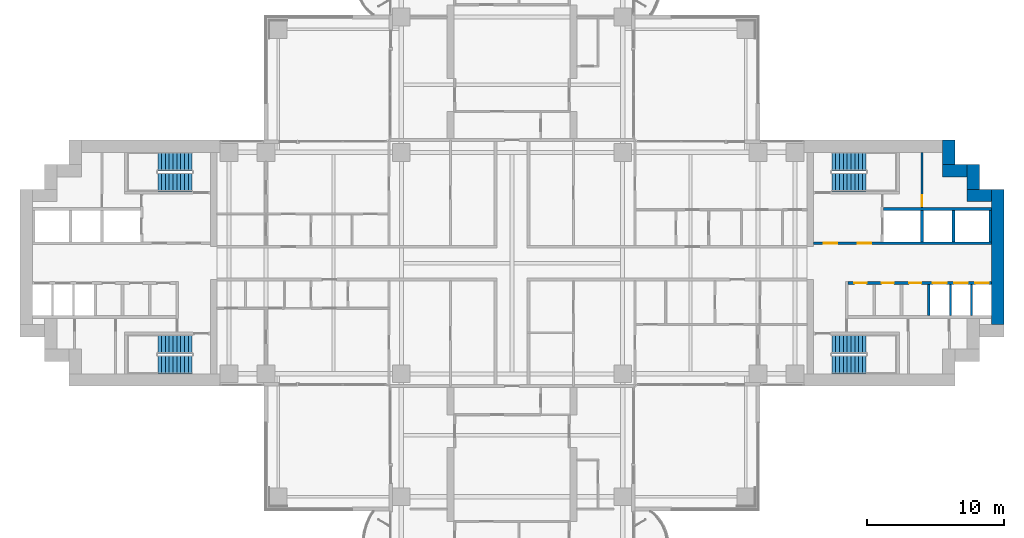
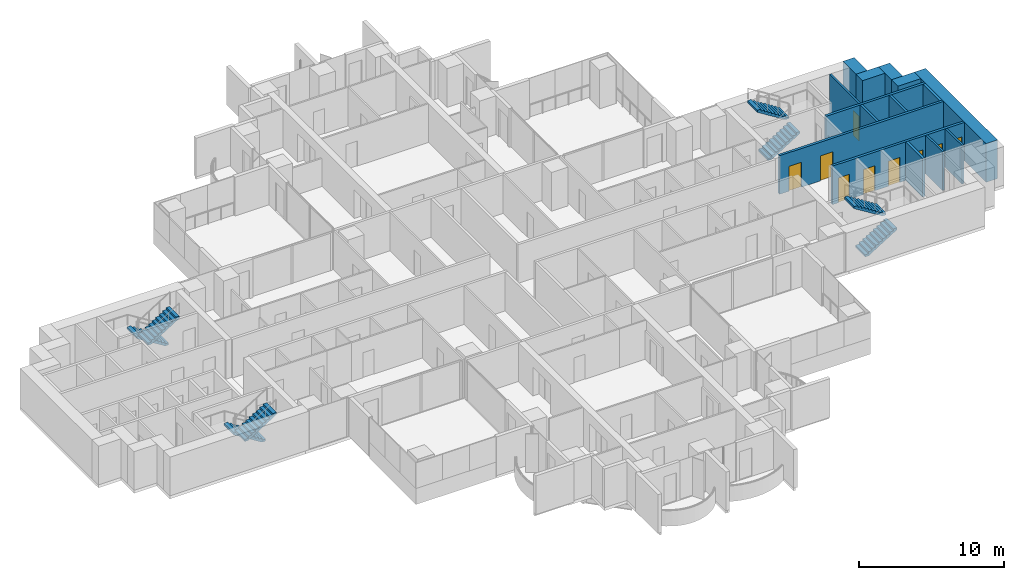
# One storey, part 16 of 20: 15 walls, 9 doors, 8 stair flights, 9 openings, 4 elements without a shape of their own.
"""IFC4 building model written with IfcOpenShell, lengths in metres."""

from ifc_helpers import new_model, si_unit, direction, frame, frame_2d, origin, place, context, subcontext, project, spatial, polyline, rectangle, outline, extrude, material, layer, layer_set, type_object, element, fill, aggregate, save


model = new_model("IFC4")

# Units and contexts
model_context = context("Model", 3, precision=1e-05, world=origin(), true_north=direction((0.0, 1.0)))
body_context = subcontext(model_context, "Body", "Model", "MODEL_VIEW")
ifc_project = project(units=[si_unit("LENGTHUNIT", "METRE"), si_unit("AREAUNIT", "SQUARE_METRE"), si_unit("VOLUMEUNIT", "CUBIC_METRE"), si_unit("PLANEANGLEUNIT", "RADIAN"), si_unit("MASSUNIT", "GRAM", prefix="KILO")], contexts=[model_context])

# Site, building, storey
site_placement = place(None, origin())
site = spatial("IfcSite", under=ifc_project, at=site_placement, CompositionType="ELEMENT")
building_placement = place(site_placement, origin())
building = spatial("IfcBuilding", under=site, at=building_placement, Name="Perihelion Cross Residences", CompositionType="ELEMENT")
storey_placement = place(building_placement, frame((0.0, 0.0, 82.0)))
storey = spatial("IfcBuildingStorey", under=building, at=storey_placement, Name="L18", CompositionType="ELEMENT", Elevation=82.0)

# Walls
ifc_material_1 = material(Name="Concrete C60/75", Category="concrete")
ifc_layer_1 = layer(ifc_material_1, 0.89990234375)
ifc_layer_set_1 = layer_set([ifc_layer_1], Name="Core wall, outer 900")
wall_type_1 = type_object("IfcWallType", Name="Core wall, outer 900", PredefinedType="SHEAR", material=ifc_layer_set_1)
wall_1_placement = place(storey_placement, frame((35.550048828125, -4.5, 0.0), z_axis=(0.0, 0.0, 1.0), x_axis=(0.0, 1.0, 0.0)))
element("IfcWall", 1, at=wall_1_placement, inside=storey, type_object=wall_type_1, Name="East core core wall, outer", PredefinedType="SHEAR", context=body_context, shape_type="SweptSolid", body=[
    extrude(rectangle(XDim=9.89990234375, YDim=0.89990234375, at=frame_2d((4.949951171875, 0.0))), origin(), (0.0, 0.0, 1.0), 3.25),
])
for number, where, z_axis, x_axis, name in (
    (2, (33.300048828125, 4.949951171875, 0.0), (0.0, 0.0, 1.0), (1.0, 0.0, 0.0), "East core core wall, outer"),
    (3, (33.75, 5.39990234375, 0.0), (0.0, 0.0, 1.0), (0.0, 1.0, 0.0), "East core core wall, outer"),
    (4, (31.5, 6.75, 0.0), (0.0, 0.0, 1.0), (1.0, 0.0, 0.0), "East core core wall, outer"),
    (5, (31.949951171875, 7.199951171875, 0.0), (0.0, 0.0, 1.0), (0.0, 1.0, 0.0), "East core core wall, outer"),
):
    element("IfcWall", number, at=place(storey_placement, frame(where, z_axis=z_axis, x_axis=x_axis)), inside=storey, type_object=wall_type_1, Name=name, PredefinedType="SHEAR", context=body_context, shape_type="SweptSolid", body=[
        extrude(rectangle(XDim=1.800048828125, YDim=0.89990234375, at=frame_2d((0.89990234375, 0.0))), origin(), (0.0, 0.0, 1.0), 3.25),
    ])

# Wall, opening, door
ifc_material_2 = material(Name="Fire-rated board on steel stud", Category="steel")
ifc_layer_2 = layer(ifc_material_2, 0.14990234375)
ifc_layer_set_2 = layer_set([ifc_layer_2], Name="Riser wall 150")
wall_type_2 = type_object("IfcWallType", Name="Riser wall 150", PredefinedType="PARTITIONING", material=ifc_layer_set_2)
wall_2_placement = place(storey_placement, frame((30.0, 4.050048828125, 0.0), z_axis=(0.0, 0.0, 1.0), x_axis=(0.0, 1.0, 0.0)))
wall_2 = element("IfcWall", 6, at=wall_2_placement, inside=storey, type_object=wall_type_2, Name="East core riser wall", PredefinedType="PARTITIONING", context=body_context, shape_type="SweptSolid", body=[
    extrude(rectangle(XDim=4.050048828125, YDim=0.14990234375, at=frame_2d((2.02490234375, 0.0))), origin(), (0.0, 0.0, 1.0), 3.25),
])
opening_1_placement = place(wall_2_placement, frame((0.10009765625, 0.0, 0.0)))
opening_1 = element("IfcOpeningElement", 7, at=opening_1_placement, cuts=wall_2, Name="Opening L18.C15", PredefinedType="OPENING", context=body_context, shape_type="SweptSolid", body=[
    extrude(rectangle(XDim=0.800048828125, YDim=2.10009765625, at=frame_2d((0.39990234375, 1.050048828125))), frame((0.0, 0.0849609375, 0.0), z_axis=(0.0, -1.0, 0.0), x_axis=(1.0, 0.0, 0.0)), (0.0, 0.0, 1.0), 0.169921875),
])
ifc_material_3 = material(Name="Steel, powder coated", Category="steel")
door_type_1 = type_object("IfcDoorType", Name="Riser door 800", OperationType="SINGLE_SWING_LEFT", PredefinedType="DOOR", material=ifc_material_3)
door_1_placement = place(opening_1_placement, origin())
door_1 = element("IfcDoor", 8, at=door_1_placement, inside=storey, type_object=door_type_1, Name="East core riser door", OperationType="SINGLE_SWING_LEFT", OverallHeight=2.10009765625, OverallWidth=0.800048828125, PredefinedType="DOOR", context=body_context, shape_type="SweptSolid", body=[
    extrude(rectangle(XDim=0.800048828125, YDim=2.10009765625, at=frame_2d((0.39990234375, 1.050048828125))), frame((0.0, 0.02490234375, 0.0), z_axis=(0.0, -1.0, 0.0), x_axis=(1.0, 0.0, 0.0)), (0.0, 0.0, 1.0), 0.050048828125),
])
fill(opening_1, door_1)

# Walls
ifc_material_4 = material(Name="Concrete C50/60", Category="concrete")
ifc_layer_3 = layer(ifc_material_4, 0.14990234375)
ifc_layer_set_3 = layer_set([ifc_layer_3], Name="Shaft wall 150")
wall_type_3 = type_object("IfcWallType", Name="Shaft wall 150", PredefinedType="SOLIDWALL", material=ifc_layer_set_3)
for number, where, z_axis, x_axis, name in (
    (9, (32.074951171875, -3.85009765625, 0.0), (0.0, 0.0, 1.0), (0.0, 1.0, 0.0), "East core shaft wall"),
    (10, (33.625, -3.85009765625, 0.0), (0.0, 0.0, 1.0), (0.0, 1.0, 0.0), "East core shaft wall"),
):
    element("IfcWall", number, at=place(storey_placement, frame(where, z_axis=z_axis, x_axis=x_axis)), inside=storey, type_object=wall_type_3, Name=name, PredefinedType="SOLIDWALL", context=body_context, shape_type="SweptSolid", body=[
        extrude(rectangle(XDim=2.300048828125, YDim=0.14990234375, at=frame_2d((1.14990234375, 0.0))), origin(), (0.0, 0.0, 1.0), 3.25),
    ])

# Wall, openings, doors
ifc_material_5 = material(Name="Concrete C50/60", Category="concrete")
ifc_layer_4 = layer(ifc_material_5, 0.199951171875)
ifc_layer_set_4 = layer_set([ifc_layer_4], Name="Shaft wall 200")
wall_type_4 = type_object("IfcWallType", Name="Shaft wall 200", PredefinedType="SOLIDWALL", material=ifc_layer_set_4)
wall_3_placement = place(storey_placement, frame((22.050048828125, 1.449951171875, 0.0), z_axis=(0.0, 0.0, 1.0), x_axis=(1.0, 0.0, 0.0)))
wall_3 = element("IfcWall", 11, at=wall_3_placement, inside=storey, type_object=wall_type_4, Name="East core shaft wall", PredefinedType="SOLIDWALL", context=body_context, shape_type="SweptSolid", body=[
    extrude(rectangle(XDim=13.050048828125, YDim=0.199951171875, at=frame_2d((6.52490234375, 0.0))), origin(), (0.0, 0.0, 1.0), 3.25),
])
opening_2_placement = place(wall_3_placement, frame((0.75, 0.0, 0.0)))
opening_2 = element("IfcOpeningElement", 12, at=opening_2_placement, cuts=wall_3, Name="Opening L18.C07", PredefinedType="OPENING", context=body_context, shape_type="SweptSolid", body=[
    extrude(rectangle(XDim=1.0, YDim=2.10009765625, at=frame_2d((0.5, 1.050048828125))), frame((0.0, 0.10986328125, 0.0), z_axis=(0.0, -1.0, 0.0), x_axis=(1.0, 0.0, 0.0)), (0.0, 0.0, 1.0), 0.219970703125),
])
opening_3_placement = place(wall_3_placement, frame((3.25, 0.0, 0.0)))
opening_3 = element("IfcOpeningElement", 13, at=opening_3_placement, cuts=wall_3, Name="Opening L18.C10", PredefinedType="OPENING", context=body_context, shape_type="SweptSolid", body=[
    extrude(rectangle(XDim=1.0, YDim=2.10009765625, at=frame_2d((0.5, 1.050048828125))), frame((0.0, 0.10986328125, 0.0), z_axis=(0.0, -1.0, 0.0), x_axis=(1.0, 0.0, 0.0)), (0.0, 0.0, 1.0), 0.219970703125),
])
ifc_material_6 = material(Name="Steel, powder coated", Category="steel")
door_type_2 = type_object("IfcDoorType", Name="Lobby door 1000", OperationType="SINGLE_SWING_LEFT", PredefinedType="DOOR", material=ifc_material_6)
door_2_placement = place(opening_2_placement, origin())
door_2 = element("IfcDoor", 14, at=door_2_placement, inside=storey, type_object=door_type_2, Name="East core firefighting lobby door", OperationType="SINGLE_SWING_LEFT", OverallHeight=2.10009765625, OverallWidth=1.0, PredefinedType="DOOR", context=body_context, shape_type="SweptSolid", body=[
    extrude(rectangle(XDim=1.0, YDim=2.10009765625, at=frame_2d((0.5, 1.050048828125))), frame((0.0, 0.02490234375, 0.0), z_axis=(0.0, -1.0, 0.0), x_axis=(1.0, 0.0, 0.0)), (0.0, 0.0, 1.0), 0.050048828125),
])
fill(opening_2, door_2)
door_3_placement = place(opening_3_placement, origin())
door_3 = element("IfcDoor", 15, at=door_3_placement, inside=storey, type_object=door_type_2, Name="East core firefighting lobby door", OperationType="SINGLE_SWING_LEFT", OverallHeight=2.10009765625, OverallWidth=1.0, PredefinedType="DOOR", context=body_context, shape_type="SweptSolid", body=[
    extrude(rectangle(XDim=1.0, YDim=2.10009765625, at=frame_2d((0.5, 1.050048828125))), frame((0.0, 0.02490234375, 0.0), z_axis=(0.0, -1.0, 0.0), x_axis=(1.0, 0.0, 0.0)), (0.0, 0.0, 1.0), 0.050048828125),
])
fill(opening_3, door_3)

wall_4_placement = place(storey_placement, frame((24.60009765625, -1.449951171875, 0.0), z_axis=(0.0, 0.0, 1.0), x_axis=(1.0, 0.0, 0.0)))
wall_4 = element("IfcWall", 16, at=wall_4_placement, inside=storey, type_object=wall_type_4, Name="East core shaft wall", PredefinedType="SOLIDWALL", context=body_context, shape_type="SweptSolid", body=[
    extrude(rectangle(XDim=10.5, YDim=0.199951171875, at=frame_2d((5.25, 0.0))), origin(), (0.0, 0.0, 1.0), 3.25),
])
opening_4_placement = place(wall_4_placement, frame((6.199951171875, 0.0, 0.0)))
opening_4 = element("IfcOpeningElement", 17, at=opening_4_placement, cuts=wall_4, Name="Opening L18.C02", PredefinedType="OPENING", context=body_context, shape_type="SweptSolid", body=[
    extrude(rectangle(XDim=1.0, YDim=2.10009765625, at=frame_2d((0.5, 1.050048828125))), frame((0.0, 0.10986328125, 0.0), z_axis=(0.0, -1.0, 0.0), x_axis=(1.0, 0.0, 0.0)), (0.0, 0.0, 1.0), 0.219970703125),
])
opening_5_placement = place(wall_4_placement, frame((7.75, 0.0, 0.0)))
opening_5 = element("IfcOpeningElement", 18, at=opening_5_placement, cuts=wall_4, Name="Opening L18.C03", PredefinedType="OPENING", context=body_context, shape_type="SweptSolid", body=[
    extrude(rectangle(XDim=1.0, YDim=2.10009765625, at=frame_2d((0.5, 1.050048828125))), frame((0.0, 0.10986328125, 0.0), z_axis=(0.0, -1.0, 0.0), x_axis=(1.0, 0.0, 0.0)), (0.0, 0.0, 1.0), 0.219970703125),
])
opening_6_placement = place(wall_4_placement, frame((9.300048828125, 0.0, 0.0)))
opening_6 = element("IfcOpeningElement", 19, at=opening_6_placement, cuts=wall_4, Name="Opening L18.C04", PredefinedType="OPENING", context=body_context, shape_type="SweptSolid", body=[
    extrude(rectangle(XDim=1.0, YDim=2.10009765625, at=frame_2d((0.5, 1.050048828125))), frame((0.0, 0.10986328125, 0.0), z_axis=(0.0, -1.0, 0.0), x_axis=(1.0, 0.0, 0.0)), (0.0, 0.0, 1.0), 0.219970703125),
])
opening_7_placement = place(wall_4_placement, frame((0.449951171875, 0.0, 0.0)))
opening_7 = element("IfcOpeningElement", 20, at=opening_7_placement, cuts=wall_4, Name="Opening L18.C09", PredefinedType="OPENING", context=body_context, shape_type="SweptSolid", body=[
    extrude(rectangle(XDim=0.89990234375, YDim=2.10009765625, at=frame_2d((0.449951171875, 1.050048828125))), frame((0.0, 0.10986328125, 0.0), z_axis=(0.0, -1.0, 0.0), x_axis=(1.0, 0.0, 0.0)), (0.0, 0.0, 1.0), 0.219970703125),
])
opening_8_placement = place(wall_4_placement, frame((2.449951171875, 0.0, 0.0)))
opening_8 = element("IfcOpeningElement", 21, at=opening_8_placement, cuts=wall_4, Name="Opening L18.C12", PredefinedType="OPENING", context=body_context, shape_type="SweptSolid", body=[
    extrude(rectangle(XDim=0.89990234375, YDim=2.10009765625, at=frame_2d((0.449951171875, 1.050048828125))), frame((0.0, 0.10986328125, 0.0), z_axis=(0.0, -1.0, 0.0), x_axis=(1.0, 0.0, 0.0)), (0.0, 0.0, 1.0), 0.219970703125),
])
opening_9_placement = place(wall_4_placement, frame((4.449951171875, 0.0, 0.0)))
opening_9 = element("IfcOpeningElement", 22, at=opening_9_placement, cuts=wall_4, Name="Opening L18.C14", PredefinedType="OPENING", context=body_context, shape_type="SweptSolid", body=[
    extrude(rectangle(XDim=0.89990234375, YDim=2.10009765625, at=frame_2d((0.449951171875, 1.050048828125))), frame((0.0, 0.10986328125, 0.0), z_axis=(0.0, -1.0, 0.0), x_axis=(1.0, 0.0, 0.0)), (0.0, 0.0, 1.0), 0.219970703125),
])
ifc_material_7 = material(Name="Stainless steel", Category="steel")
door_type_3 = type_object("IfcDoorType", Name="Landing door 1000", OperationType="DOUBLE_DOOR_SLIDING", PredefinedType="DOOR", material=ifc_material_7)
door_4_placement = place(opening_4_placement, origin())
door_4 = element("IfcDoor", 23, at=door_4_placement, inside=storey, type_object=door_type_3, Name="Landing door, East core low-rise lift 1", OperationType="DOUBLE_DOOR_SLIDING", OverallHeight=2.10009765625, OverallWidth=1.0, PredefinedType="DOOR", context=body_context, shape_type="SweptSolid", body=[
    extrude(rectangle(XDim=1.0, YDim=2.10009765625, at=frame_2d((0.5, 1.050048828125))), frame((0.0, 0.02490234375, 0.0), z_axis=(0.0, -1.0, 0.0), x_axis=(1.0, 0.0, 0.0)), (0.0, 0.0, 1.0), 0.050048828125),
])
fill(opening_4, door_4)
door_5_placement = place(opening_5_placement, origin())
door_5 = element("IfcDoor", 24, at=door_5_placement, inside=storey, type_object=door_type_3, Name="Landing door, East core low-rise lift 2", OperationType="DOUBLE_DOOR_SLIDING", OverallHeight=2.10009765625, OverallWidth=1.0, PredefinedType="DOOR", context=body_context, shape_type="SweptSolid", body=[
    extrude(rectangle(XDim=1.0, YDim=2.10009765625, at=frame_2d((0.5, 1.050048828125))), frame((0.0, 0.02490234375, 0.0), z_axis=(0.0, -1.0, 0.0), x_axis=(1.0, 0.0, 0.0)), (0.0, 0.0, 1.0), 0.050048828125),
])
fill(opening_5, door_5)
door_6_placement = place(opening_6_placement, origin())
door_6 = element("IfcDoor", 25, at=door_6_placement, inside=storey, type_object=door_type_3, Name="Landing door, East core low-rise lift 3", OperationType="DOUBLE_DOOR_SLIDING", OverallHeight=2.10009765625, OverallWidth=1.0, PredefinedType="DOOR", context=body_context, shape_type="SweptSolid", body=[
    extrude(rectangle(XDim=1.0, YDim=2.10009765625, at=frame_2d((0.5, 1.050048828125))), frame((0.0, 0.02490234375, 0.0), z_axis=(0.0, -1.0, 0.0), x_axis=(1.0, 0.0, 0.0)), (0.0, 0.0, 1.0), 0.050048828125),
])
fill(opening_6, door_6)
ifc_material_8 = material(Name="Steel, powder coated", Category="steel")
door_type_4 = type_object("IfcDoorType", Name="Service room door 900", OperationType="SINGLE_SWING_LEFT", PredefinedType="DOOR", material=ifc_material_8)
door_7_placement = place(opening_7_placement, origin())
door_7 = element("IfcDoor", 26, at=door_7_placement, inside=storey, type_object=door_type_4, Name="East core service room door", OperationType="SINGLE_SWING_LEFT", OverallHeight=2.10009765625, OverallWidth=0.89990234375, PredefinedType="DOOR", context=body_context, shape_type="SweptSolid", body=[
    extrude(rectangle(XDim=0.89990234375, YDim=2.10009765625, at=frame_2d((0.449951171875, 1.050048828125))), frame((0.0, 0.02490234375, 0.0), z_axis=(0.0, -1.0, 0.0), x_axis=(1.0, 0.0, 0.0)), (0.0, 0.0, 1.0), 0.050048828125),
])
fill(opening_7, door_7)
door_8_placement = place(opening_8_placement, origin())
door_8 = element("IfcDoor", 27, at=door_8_placement, inside=storey, type_object=door_type_4, Name="East core service room door", OperationType="SINGLE_SWING_LEFT", OverallHeight=2.10009765625, OverallWidth=0.89990234375, PredefinedType="DOOR", context=body_context, shape_type="SweptSolid", body=[
    extrude(rectangle(XDim=0.89990234375, YDim=2.10009765625, at=frame_2d((0.449951171875, 1.050048828125))), frame((0.0, 0.02490234375, 0.0), z_axis=(0.0, -1.0, 0.0), x_axis=(1.0, 0.0, 0.0)), (0.0, 0.0, 1.0), 0.050048828125),
])
fill(opening_8, door_8)
door_9_placement = place(opening_9_placement, origin())
door_9 = element("IfcDoor", 28, at=door_9_placement, inside=storey, type_object=door_type_4, Name="East core service room door", OperationType="SINGLE_SWING_LEFT", OverallHeight=2.10009765625, OverallWidth=0.89990234375, PredefinedType="DOOR", context=body_context, shape_type="SweptSolid", body=[
    extrude(rectangle(XDim=0.89990234375, YDim=2.10009765625, at=frame_2d((0.449951171875, 1.050048828125))), frame((0.0, 0.02490234375, 0.0), z_axis=(0.0, -1.0, 0.0), x_axis=(1.0, 0.0, 0.0)), (0.0, 0.0, 1.0), 0.050048828125),
])
fill(opening_9, door_9)

# Walls
wall_5_placement = place(storey_placement, frame((27.199951171875, 3.949951171875, 0.0), z_axis=(0.0, 0.0, 1.0), x_axis=(1.0, 0.0, 0.0)))
element("IfcWall", 29, at=wall_5_placement, inside=storey, type_object=wall_type_4, Name="East core shaft wall", PredefinedType="SOLIDWALL", context=body_context, shape_type="SweptSolid", body=[
    extrude(rectangle(XDim=7.900146484375, YDim=0.199951171875, at=frame_2d((3.9501953125, 0.0))), origin(), (0.0, 0.0, 1.0), 3.25),
])
for number, where, z_axis, x_axis, name in (
    (30, (30.0, 1.550048828125, 0.0), (0.0, 0.0, 1.0), (0.0, 1.0, 0.0), "East core shaft wall"),
    (31, (32.300048828125, 1.550048828125, 0.0), (0.0, 0.0, 1.0), (0.0, 1.0, 0.0), "East core shaft wall"),
    (32, (35.0, 1.550048828125, 0.0), (0.0, 0.0, 1.0), (0.0, 1.0, 0.0), "East core shaft wall"),
    (33, (30.5, -3.85009765625, 0.0), (0.0, 0.0, 1.0), (0.0, 1.0, 0.0), "East core shaft wall"),
):
    element("IfcWall", number, at=place(storey_placement, frame(where, z_axis=z_axis, x_axis=x_axis)), inside=storey, type_object=wall_type_4, Name=name, PredefinedType="SOLIDWALL", context=body_context, shape_type="SweptSolid", body=[
        extrude(rectangle(XDim=2.300048828125, YDim=0.199951171875, at=frame_2d((1.14990234375, 0.0))), origin(), (0.0, 0.0, 1.0), 3.25),
    ])

# Stair, stair flights
ifc_material_9 = material(Name="Concrete C40/50", Category="concrete")
stair_type = type_object("IfcStairType", Name="Exit stair, half-turn", PredefinedType="HALF_TURN_STAIR", material=ifc_material_9)
stair_1_placement = place(storey_placement, origin())
stair_1 = element("IfcStair", 34, at=stair_1_placement, inside=storey, type_object=stair_type, Name="L18 East core exit stair 1", PredefinedType="HALF_TURN_STAIR")
ifc_material_10 = material(Name="Concrete C40/50", Category="concrete")
stair_flight_type = type_object("IfcStairFlightType", Name="Exit stair flight", PredefinedType="STRAIGHT", material=ifc_material_10)
stair_flight_1_placement = place(storey_placement, frame((23.39990234375, 5.925048828125, 0.0), z_axis=(0.0, 0.0, 1.0), x_axis=(1.0, 0.0, 0.0)))
stair_flight_1 = element("IfcStairFlight", 35, at=stair_flight_1_placement, type_object=stair_flight_type, Name="ST-E1 flight 1", NumberOfRisers=10, NumberOfTreads=9, PredefinedType="STRAIGHT", RiserHeight=0.175, TreadLength=0.28, context=body_context, shape_type="SweptSolid", body=[
    extrude(outline(polyline([(0.0, 0.0), (0.0, 0.175048828125), (0.280029296875, 0.175048828125), (0.280029296875, 0.35009765625), (0.56005859375, 0.35009765625), (0.56005859375, 0.52490234375), (0.840087890625, 0.52490234375), (0.840087890625, 0.699951171875), (1.1201171875, 0.699951171875), (1.1201171875, 0.875), (1.39990234375, 0.875), (1.39990234375, 1.050048828125), (1.679931640625, 1.050048828125), (1.679931640625, 1.22509765625), (1.9599609375, 1.22509765625), (1.9599609375, 1.39990234375), (2.239990234375, 1.39990234375), (2.239990234375, 1.574951171875), (2.52001953125, 1.574951171875), (2.52001953125, 1.75), (2.52001953125, 1.398193359375), (0.28271484375, 0.0), (0.0, 0.0)])), frame((0.0, 0.675048828125, 0.0), z_axis=(0.0, -1.0, 0.0), x_axis=(1.0, 0.0, 0.0)), (0.0, 0.0, 1.0), 1.35009765625),
])
stair_flight_2_placement = place(storey_placement, frame((25.919921875, 7.425048828125, 1.75), z_axis=(0.0, 0.0, 1.0), x_axis=(-1.0, 0.0, 0.0)))
stair_flight_2 = element("IfcStairFlight", 36, at=stair_flight_2_placement, type_object=stair_flight_type, Name="ST-E1 flight 2", NumberOfRisers=10, NumberOfTreads=9, PredefinedType="STRAIGHT", RiserHeight=0.175, TreadLength=0.28, context=body_context, shape_type="SweptSolid", body=[
    extrude(outline(polyline([(0.0, 0.0), (0.0, 0.175048828125), (0.280029296875, 0.175048828125), (0.280029296875, 0.35009765625), (0.56005859375, 0.35009765625), (0.56005859375, 0.52490234375), (0.840087890625, 0.52490234375), (0.840087890625, 0.699951171875), (1.1201171875, 0.699951171875), (1.1201171875, 0.875), (1.39990234375, 0.875), (1.39990234375, 1.050048828125), (1.679931640625, 1.050048828125), (1.679931640625, 1.22509765625), (1.9599609375, 1.22509765625), (1.9599609375, 1.39990234375), (2.239990234375, 1.39990234375), (2.239990234375, 1.574951171875), (2.52001953125, 1.574951171875), (2.52001953125, 1.75), (2.52001953125, 1.398193359375), (0.28271484375, 0.0), (0.0, 0.0)])), frame((0.0, 0.675048828125, 0.0), z_axis=(0.0, -1.0, 0.0), x_axis=(1.0, 0.0, 0.0)), (0.0, 0.0, 1.0), 1.35009765625),
])
aggregate(stair_1, [stair_flight_1, stair_flight_2])

stair_2_placement = place(storey_placement, origin())
stair_2 = element("IfcStair", 37, at=stair_2_placement, inside=storey, type_object=stair_type, Name="L18 East core exit stair 2", PredefinedType="HALF_TURN_STAIR")
stair_flight_3_placement = place(storey_placement, frame((23.39990234375, -7.425048828125, 0.0), z_axis=(0.0, 0.0, 1.0), x_axis=(1.0, 0.0, 0.0)))
stair_flight_3 = element("IfcStairFlight", 38, at=stair_flight_3_placement, type_object=stair_flight_type, Name="ST-E2 flight 1", NumberOfRisers=10, NumberOfTreads=9, PredefinedType="STRAIGHT", RiserHeight=0.175, TreadLength=0.28, context=body_context, shape_type="SweptSolid", body=[
    extrude(outline(polyline([(0.0, 0.0), (0.0, 0.175048828125), (0.280029296875, 0.175048828125), (0.280029296875, 0.35009765625), (0.56005859375, 0.35009765625), (0.56005859375, 0.52490234375), (0.840087890625, 0.52490234375), (0.840087890625, 0.699951171875), (1.1201171875, 0.699951171875), (1.1201171875, 0.875), (1.39990234375, 0.875), (1.39990234375, 1.050048828125), (1.679931640625, 1.050048828125), (1.679931640625, 1.22509765625), (1.9599609375, 1.22509765625), (1.9599609375, 1.39990234375), (2.239990234375, 1.39990234375), (2.239990234375, 1.574951171875), (2.52001953125, 1.574951171875), (2.52001953125, 1.75), (2.52001953125, 1.398193359375), (0.28271484375, 0.0), (0.0, 0.0)])), frame((0.0, 0.675048828125, 0.0), z_axis=(0.0, -1.0, 0.0), x_axis=(1.0, 0.0, 0.0)), (0.0, 0.0, 1.0), 1.35009765625),
])
stair_flight_4_placement = place(storey_placement, frame((25.919921875, -5.925048828125, 1.75), z_axis=(0.0, 0.0, 1.0), x_axis=(-1.0, 0.0, 0.0)))
stair_flight_4 = element("IfcStairFlight", 39, at=stair_flight_4_placement, type_object=stair_flight_type, Name="ST-E2 flight 2", NumberOfRisers=10, NumberOfTreads=9, PredefinedType="STRAIGHT", RiserHeight=0.175, TreadLength=0.28, context=body_context, shape_type="SweptSolid", body=[
    extrude(outline(polyline([(0.0, 0.0), (0.0, 0.175048828125), (0.280029296875, 0.175048828125), (0.280029296875, 0.35009765625), (0.56005859375, 0.35009765625), (0.56005859375, 0.52490234375), (0.840087890625, 0.52490234375), (0.840087890625, 0.699951171875), (1.1201171875, 0.699951171875), (1.1201171875, 0.875), (1.39990234375, 0.875), (1.39990234375, 1.050048828125), (1.679931640625, 1.050048828125), (1.679931640625, 1.22509765625), (1.9599609375, 1.22509765625), (1.9599609375, 1.39990234375), (2.239990234375, 1.39990234375), (2.239990234375, 1.574951171875), (2.52001953125, 1.574951171875), (2.52001953125, 1.75), (2.52001953125, 1.398193359375), (0.28271484375, 0.0), (0.0, 0.0)])), frame((0.0, 0.675048828125, 0.0), z_axis=(0.0, -1.0, 0.0), x_axis=(1.0, 0.0, 0.0)), (0.0, 0.0, 1.0), 1.35009765625),
])
aggregate(stair_2, [stair_flight_3, stair_flight_4])

stair_3_placement = place(storey_placement, origin())
stair_3 = element("IfcStair", 40, at=stair_3_placement, inside=storey, type_object=stair_type, Name="L18 West core exit stair 1", PredefinedType="HALF_TURN_STAIR")
stair_flight_5_placement = place(storey_placement, frame((-23.39990234375, 7.425048828125, 0.0), z_axis=(0.0, 0.0, 1.0), x_axis=(-1.0, 0.0, 0.0)))
stair_flight_5 = element("IfcStairFlight", 41, at=stair_flight_5_placement, type_object=stair_flight_type, Name="ST-W1 flight 1", NumberOfRisers=10, NumberOfTreads=9, PredefinedType="STRAIGHT", RiserHeight=0.175, TreadLength=0.28, context=body_context, shape_type="SweptSolid", body=[
    extrude(outline(polyline([(0.0, 0.0), (0.0, 0.175048828125), (0.280029296875, 0.175048828125), (0.280029296875, 0.35009765625), (0.56005859375, 0.35009765625), (0.56005859375, 0.52490234375), (0.840087890625, 0.52490234375), (0.840087890625, 0.699951171875), (1.1201171875, 0.699951171875), (1.1201171875, 0.875), (1.39990234375, 0.875), (1.39990234375, 1.050048828125), (1.679931640625, 1.050048828125), (1.679931640625, 1.22509765625), (1.9599609375, 1.22509765625), (1.9599609375, 1.39990234375), (2.239990234375, 1.39990234375), (2.239990234375, 1.574951171875), (2.52001953125, 1.574951171875), (2.52001953125, 1.75), (2.52001953125, 1.398193359375), (0.28271484375, 0.0), (0.0, 0.0)])), frame((0.0, 0.675048828125, 0.0), z_axis=(0.0, -1.0, 0.0), x_axis=(1.0, 0.0, 0.0)), (0.0, 0.0, 1.0), 1.35009765625),
])
stair_flight_6_placement = place(storey_placement, frame((-25.919921875, 5.925048828125, 1.75), z_axis=(0.0, 0.0, 1.0), x_axis=(1.0, 0.0, 0.0)))
stair_flight_6 = element("IfcStairFlight", 42, at=stair_flight_6_placement, type_object=stair_flight_type, Name="ST-W1 flight 2", NumberOfRisers=10, NumberOfTreads=9, PredefinedType="STRAIGHT", RiserHeight=0.175, TreadLength=0.28, context=body_context, shape_type="SweptSolid", body=[
    extrude(outline(polyline([(0.0, 0.0), (0.0, 0.175048828125), (0.280029296875, 0.175048828125), (0.280029296875, 0.35009765625), (0.56005859375, 0.35009765625), (0.56005859375, 0.52490234375), (0.840087890625, 0.52490234375), (0.840087890625, 0.699951171875), (1.1201171875, 0.699951171875), (1.1201171875, 0.875), (1.39990234375, 0.875), (1.39990234375, 1.050048828125), (1.679931640625, 1.050048828125), (1.679931640625, 1.22509765625), (1.9599609375, 1.22509765625), (1.9599609375, 1.39990234375), (2.239990234375, 1.39990234375), (2.239990234375, 1.574951171875), (2.52001953125, 1.574951171875), (2.52001953125, 1.75), (2.52001953125, 1.398193359375), (0.28271484375, 0.0), (0.0, 0.0)])), frame((0.0, 0.675048828125, 0.0), z_axis=(0.0, -1.0, 0.0), x_axis=(1.0, 0.0, 0.0)), (0.0, 0.0, 1.0), 1.35009765625),
])
aggregate(stair_3, [stair_flight_5, stair_flight_6])

stair_4_placement = place(storey_placement, origin())
stair_4 = element("IfcStair", 43, at=stair_4_placement, inside=storey, type_object=stair_type, Name="L18 West core exit stair 2", PredefinedType="HALF_TURN_STAIR")
stair_flight_7_placement = place(storey_placement, frame((-23.39990234375, -5.925048828125, 0.0), z_axis=(0.0, 0.0, 1.0), x_axis=(-1.0, 0.0, 0.0)))
stair_flight_7 = element("IfcStairFlight", 44, at=stair_flight_7_placement, type_object=stair_flight_type, Name="ST-W2 flight 1", NumberOfRisers=10, NumberOfTreads=9, PredefinedType="STRAIGHT", RiserHeight=0.175, TreadLength=0.28, context=body_context, shape_type="SweptSolid", body=[
    extrude(outline(polyline([(0.0, 0.0), (0.0, 0.175048828125), (0.280029296875, 0.175048828125), (0.280029296875, 0.35009765625), (0.56005859375, 0.35009765625), (0.56005859375, 0.52490234375), (0.840087890625, 0.52490234375), (0.840087890625, 0.699951171875), (1.1201171875, 0.699951171875), (1.1201171875, 0.875), (1.39990234375, 0.875), (1.39990234375, 1.050048828125), (1.679931640625, 1.050048828125), (1.679931640625, 1.22509765625), (1.9599609375, 1.22509765625), (1.9599609375, 1.39990234375), (2.239990234375, 1.39990234375), (2.239990234375, 1.574951171875), (2.52001953125, 1.574951171875), (2.52001953125, 1.75), (2.52001953125, 1.398193359375), (0.28271484375, 0.0), (0.0, 0.0)])), frame((0.0, 0.675048828125, 0.0), z_axis=(0.0, -1.0, 0.0), x_axis=(1.0, 0.0, 0.0)), (0.0, 0.0, 1.0), 1.35009765625),
])
stair_flight_8_placement = place(storey_placement, frame((-25.919921875, -7.425048828125, 1.75), z_axis=(0.0, 0.0, 1.0), x_axis=(1.0, 0.0, 0.0)))
stair_flight_8 = element("IfcStairFlight", 45, at=stair_flight_8_placement, type_object=stair_flight_type, Name="ST-W2 flight 2", NumberOfRisers=10, NumberOfTreads=9, PredefinedType="STRAIGHT", RiserHeight=0.175, TreadLength=0.28, context=body_context, shape_type="SweptSolid", body=[
    extrude(outline(polyline([(0.0, 0.0), (0.0, 0.175048828125), (0.280029296875, 0.175048828125), (0.280029296875, 0.35009765625), (0.56005859375, 0.35009765625), (0.56005859375, 0.52490234375), (0.840087890625, 0.52490234375), (0.840087890625, 0.699951171875), (1.1201171875, 0.699951171875), (1.1201171875, 0.875), (1.39990234375, 0.875), (1.39990234375, 1.050048828125), (1.679931640625, 1.050048828125), (1.679931640625, 1.22509765625), (1.9599609375, 1.22509765625), (1.9599609375, 1.39990234375), (2.239990234375, 1.39990234375), (2.239990234375, 1.574951171875), (2.52001953125, 1.574951171875), (2.52001953125, 1.75), (2.52001953125, 1.398193359375), (0.28271484375, 0.0), (0.0, 0.0)])), frame((0.0, 0.675048828125, 0.0), z_axis=(0.0, -1.0, 0.0), x_axis=(1.0, 0.0, 0.0)), (0.0, 0.0, 1.0), 1.35009765625),
])
aggregate(stair_4, [stair_flight_7, stair_flight_8])

save(model, "model.ifc")
